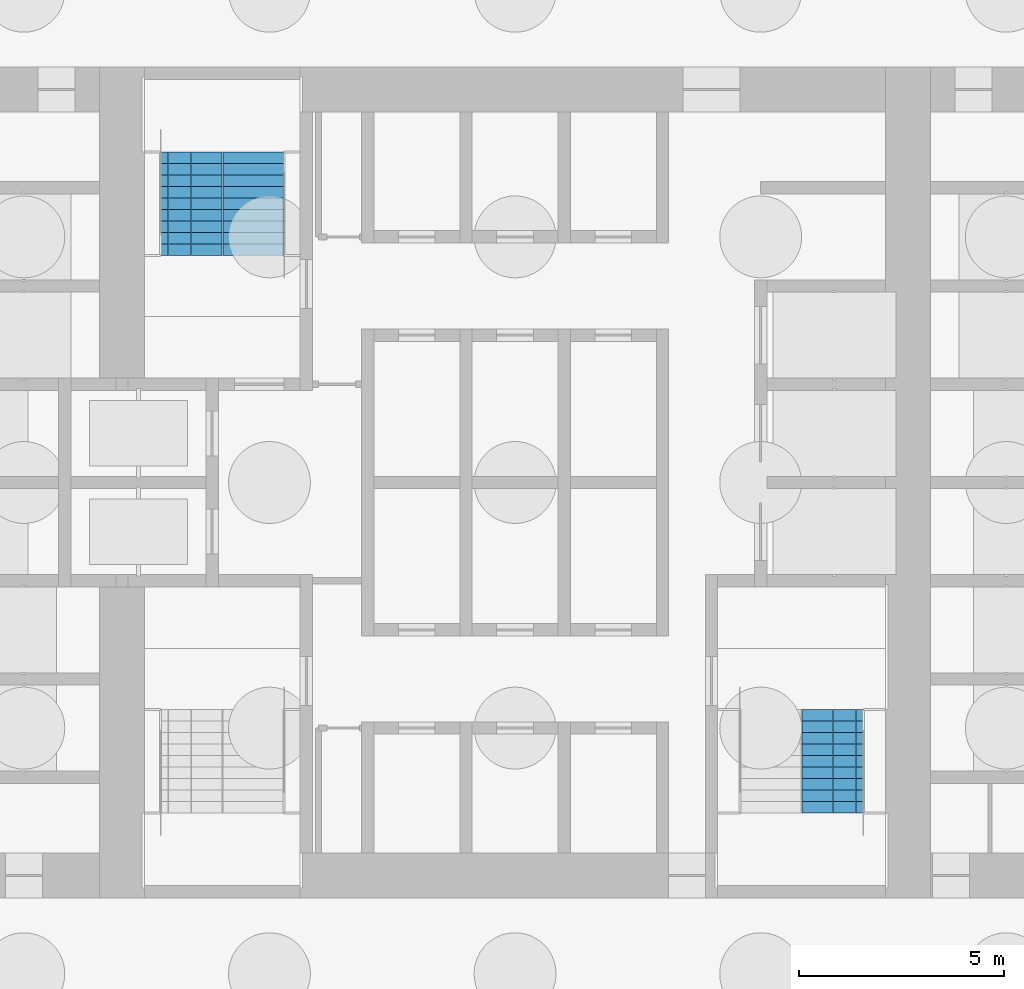
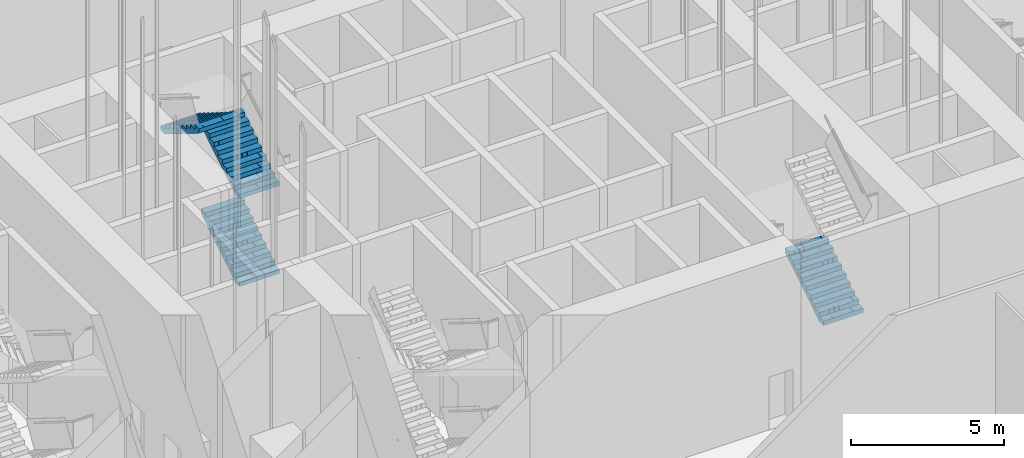
# One storey, part 24 of 68: 4 stair flights, 2 elements without a shape of their own.
"""IFC4 building model written with IfcOpenShell, lengths in metres."""

from ifc_helpers import new_model, si_unit, direction, frame, origin, place, context, subcontext, project, spatial, polyline, outline, extrude, material, type_object, element, aggregate, save


model = new_model("IFC4")

# Units and contexts
model_context = context("Model", 3, precision=1e-05, world=origin(), true_north=direction((0.0, 1.0)))
body_context = subcontext(model_context, "Body", "Model", "MODEL_VIEW")
ifc_project = project(units=[si_unit("LENGTHUNIT", "METRE"), si_unit("AREAUNIT", "SQUARE_METRE"), si_unit("VOLUMEUNIT", "CUBIC_METRE"), si_unit("PLANEANGLEUNIT", "RADIAN"), si_unit("MASSUNIT", "GRAM", prefix="KILO")], contexts=[model_context])

# Site, building, storey
site_placement = place(None, origin())
site = spatial("IfcSite", under=ifc_project, at=site_placement, CompositionType="ELEMENT")
building_placement = place(site_placement, origin())
building = spatial("IfcBuilding", under=site, at=building_placement, Name="Kolab Exchange Tower", CompositionType="ELEMENT")
storey_placement = place(building_placement, origin())
storey = spatial("IfcBuildingStorey", under=building, at=storey_placement, Name="L00", CompositionType="ELEMENT", Elevation=0.0)

# Stair, stair flights
ifc_material = material(Name="Concrete C50/60", Category="concrete")
stair_type_1 = type_object("IfcStairType", Name="STAIR ST1 RISER 175", PredefinedType="DOUBLE_RETURN_STAIR", material=ifc_material)
stair_1_placement = place(storey_placement, origin())
stair_1 = element("IfcStair", 1, at=stair_1_placement, inside=storey, type_object=stair_type_1, Name="Stair 1", PredefinedType="DOUBLE_RETURN_STAIR")
stair_flight_type = type_object("IfcStairFlightType", Name="STAIR FLIGHT 1500 RISER 175", PredefinedType="STRAIGHT", material=ifc_material)
stair_flight_1_placement = place(storey_placement, frame((-6.389892578125, 5.550048828125, 0.0), z_axis=(0.0, 0.0, 1.0), x_axis=(0.0, 1.0, 0.0)))
stair_flight_1 = element("IfcStairFlight", 2, at=stair_flight_1_placement, type_object=stair_flight_type, Name="ST1 flight 1", NumberOfRisers=10, NumberOfTreads=9, PredefinedType="STRAIGHT", RiserHeight=0.175, TreadLength=0.28, context=body_context, shape_type="SweptSolid", body=[
    extrude(outline(polyline([(0.0, 0.0), (0.0, 0.175048828125), (0.280029296875, 0.175048828125), (0.280029296875, 0.35009765625), (0.56005859375, 0.35009765625), (0.56005859375, 0.52490234375), (0.840087890625, 0.52490234375), (0.840087890625, 0.699951171875), (1.1201171875, 0.699951171875), (1.1201171875, 0.875), (1.39990234375, 0.875), (1.39990234375, 1.050048828125), (1.679931640625, 1.050048828125), (1.679931640625, 1.22509765625), (1.9599609375, 1.22509765625), (1.9599609375, 1.39990234375), (2.239990234375, 1.39990234375), (2.239990234375, 1.574951171875), (2.52001953125, 1.574951171875), (2.52001953125, 1.75), (2.52001953125, 1.398193359375), (0.28271484375, 0.0), (0.0, 0.0)])), frame((0.0, 0.75, 0.0), z_axis=(0.0, -1.0, 0.0), x_axis=(1.0, 0.0, 0.0)), (0.0, 0.0, 1.0), 0.185791015625),
    extrude(outline(polyline([(0.0, 0.0), (0.0, 0.175048828125), (0.280029296875, 0.175048828125), (0.280029296875, 0.35009765625), (0.56005859375, 0.35009765625), (0.56005859375, 0.52490234375), (0.840087890625, 0.52490234375), (0.840087890625, 0.699951171875), (1.1201171875, 0.699951171875), (1.1201171875, 0.875), (1.39990234375, 0.875), (1.39990234375, 1.050048828125), (1.679931640625, 1.050048828125), (1.679931640625, 1.22509765625), (1.9599609375, 1.22509765625), (1.9599609375, 1.39990234375), (2.239990234375, 1.39990234375), (2.239990234375, 1.574951171875), (2.52001953125, 1.574951171875), (2.52001953125, 1.75), (2.52001953125, 1.398193359375), (0.28271484375, 0.0), (0.0, 0.0)])), frame((0.0, 0.562255859375, 0.0), z_axis=(0.0, -1.0, 0.0), x_axis=(1.0, 0.0, 0.0)), (0.0, 0.0, 1.0), 0.185791015625),
    extrude(outline(polyline([(0.0, 0.0), (0.0, 0.175048828125), (0.280029296875, 0.175048828125), (0.280029296875, 0.35009765625), (0.56005859375, 0.35009765625), (0.56005859375, 0.52490234375), (0.840087890625, 0.52490234375), (0.840087890625, 0.699951171875), (1.1201171875, 0.699951171875), (1.1201171875, 0.875), (1.39990234375, 0.875), (1.39990234375, 1.050048828125), (1.679931640625, 1.050048828125), (1.679931640625, 1.22509765625), (1.9599609375, 1.22509765625), (1.9599609375, 1.39990234375), (2.239990234375, 1.39990234375), (2.239990234375, 1.574951171875), (2.52001953125, 1.574951171875), (2.52001953125, 1.75), (2.52001953125, 1.398193359375), (0.28271484375, 0.0), (0.0, 0.0)])), frame((0.0, 0.37451171875, 0.0), z_axis=(0.0, -1.0, 0.0), x_axis=(1.0, 0.0, 0.0)), (0.0, 0.0, 1.0), 0.185791015625),
    extrude(outline(polyline([(0.0, 0.0), (0.0, 0.175048828125), (0.280029296875, 0.175048828125), (0.280029296875, 0.35009765625), (0.56005859375, 0.35009765625), (0.56005859375, 0.52490234375), (0.840087890625, 0.52490234375), (0.840087890625, 0.699951171875), (1.1201171875, 0.699951171875), (1.1201171875, 0.875), (1.39990234375, 0.875), (1.39990234375, 1.050048828125), (1.679931640625, 1.050048828125), (1.679931640625, 1.22509765625), (1.9599609375, 1.22509765625), (1.9599609375, 1.39990234375), (2.239990234375, 1.39990234375), (2.239990234375, 1.574951171875), (2.52001953125, 1.574951171875), (2.52001953125, 1.75), (2.52001953125, 1.398193359375), (0.28271484375, 0.0), (0.0, 0.0)])), frame((0.0, 0.186767578125, 0.0), z_axis=(0.0, -1.0, 0.0), x_axis=(1.0, 0.0, 0.0)), (0.0, 0.0, 1.0), 0.185791015625),
    extrude(outline(polyline([(0.0, 0.0), (0.0, 0.175048828125), (0.280029296875, 0.175048828125), (0.280029296875, 0.35009765625), (0.56005859375, 0.35009765625), (0.56005859375, 0.52490234375), (0.840087890625, 0.52490234375), (0.840087890625, 0.699951171875), (1.1201171875, 0.699951171875), (1.1201171875, 0.875), (1.39990234375, 0.875), (1.39990234375, 1.050048828125), (1.679931640625, 1.050048828125), (1.679931640625, 1.22509765625), (1.9599609375, 1.22509765625), (1.9599609375, 1.39990234375), (2.239990234375, 1.39990234375), (2.239990234375, 1.574951171875), (2.52001953125, 1.574951171875), (2.52001953125, 1.75), (2.52001953125, 1.398193359375), (0.28271484375, 0.0), (0.0, 0.0)])), frame((0.0, -0.0009765625, 0.0), z_axis=(0.0, -1.0, 0.0), x_axis=(1.0, 0.0, 0.0)), (0.0, 0.0, 1.0), 0.185791015625),
    extrude(outline(polyline([(0.0, 0.0), (0.0, 0.175048828125), (0.280029296875, 0.175048828125), (0.280029296875, 0.35009765625), (0.56005859375, 0.35009765625), (0.56005859375, 0.52490234375), (0.840087890625, 0.52490234375), (0.840087890625, 0.699951171875), (1.1201171875, 0.699951171875), (1.1201171875, 0.875), (1.39990234375, 0.875), (1.39990234375, 1.050048828125), (1.679931640625, 1.050048828125), (1.679931640625, 1.22509765625), (1.9599609375, 1.22509765625), (1.9599609375, 1.39990234375), (2.239990234375, 1.39990234375), (2.239990234375, 1.574951171875), (2.52001953125, 1.574951171875), (2.52001953125, 1.75), (2.52001953125, 1.398193359375), (0.28271484375, 0.0), (0.0, 0.0)])), frame((0.0, -0.188720703125, 0.0), z_axis=(0.0, -1.0, 0.0), x_axis=(1.0, 0.0, 0.0)), (0.0, 0.0, 1.0), 0.185791015625),
    extrude(outline(polyline([(0.0, 0.0), (0.0, 0.175048828125), (0.280029296875, 0.175048828125), (0.280029296875, 0.35009765625), (0.56005859375, 0.35009765625), (0.56005859375, 0.52490234375), (0.840087890625, 0.52490234375), (0.840087890625, 0.699951171875), (1.1201171875, 0.699951171875), (1.1201171875, 0.875), (1.39990234375, 0.875), (1.39990234375, 1.050048828125), (1.679931640625, 1.050048828125), (1.679931640625, 1.22509765625), (1.9599609375, 1.22509765625), (1.9599609375, 1.39990234375), (2.239990234375, 1.39990234375), (2.239990234375, 1.574951171875), (2.52001953125, 1.574951171875), (2.52001953125, 1.75), (2.52001953125, 1.398193359375), (0.28271484375, 0.0), (0.0, 0.0)])), frame((0.0, -0.37646484375, 0.0), z_axis=(0.0, -1.0, 0.0), x_axis=(1.0, 0.0, 0.0)), (0.0, 0.0, 1.0), 0.185791015625),
    extrude(outline(polyline([(0.0, 0.0), (0.0, 0.175048828125), (0.280029296875, 0.175048828125), (0.280029296875, 0.35009765625), (0.56005859375, 0.35009765625), (0.56005859375, 0.52490234375), (0.840087890625, 0.52490234375), (0.840087890625, 0.699951171875), (1.1201171875, 0.699951171875), (1.1201171875, 0.875), (1.39990234375, 0.875), (1.39990234375, 1.050048828125), (1.679931640625, 1.050048828125), (1.679931640625, 1.22509765625), (1.9599609375, 1.22509765625), (1.9599609375, 1.39990234375), (2.239990234375, 1.39990234375), (2.239990234375, 1.574951171875), (2.52001953125, 1.574951171875), (2.52001953125, 1.75), (2.52001953125, 1.398193359375), (0.28271484375, 0.0), (0.0, 0.0)])), frame((0.0, -0.564208984375, 0.0), z_axis=(0.0, -1.0, 0.0), x_axis=(1.0, 0.0, 0.0)), (0.0, 0.0, 1.0), 0.185791015625),
])
stair_flight_2_placement = place(storey_placement, frame((-6.389892578125, 5.550048828125, 3.5), z_axis=(0.0, 0.0, 1.0), x_axis=(0.0, 1.0, 0.0)))
stair_flight_2 = element("IfcStairFlight", 3, at=stair_flight_2_placement, type_object=stair_flight_type, Name="ST1 flight 3", NumberOfRisers=10, NumberOfTreads=9, PredefinedType="STRAIGHT", RiserHeight=0.175, TreadLength=0.28, context=body_context, shape_type="SweptSolid", body=[
    extrude(outline(polyline([(0.0, 0.0), (0.0, 0.175048828125), (0.280029296875, 0.175048828125), (0.280029296875, 0.35009765625), (0.56005859375, 0.35009765625), (0.56005859375, 0.52490234375), (0.840087890625, 0.52490234375), (0.840087890625, 0.699951171875), (1.1201171875, 0.699951171875), (1.1201171875, 0.875), (1.39990234375, 0.875), (1.39990234375, 1.050048828125), (1.679931640625, 1.050048828125), (1.679931640625, 1.22509765625), (1.9599609375, 1.22509765625), (1.9599609375, 1.39990234375), (2.239990234375, 1.39990234375), (2.239990234375, 1.574951171875), (2.52001953125, 1.574951171875), (2.52001953125, 1.75), (2.52001953125, 1.398193359375), (0.28271484375, 0.0), (0.0, 0.0)])), frame((0.0, 0.75, 0.0), z_axis=(0.0, -1.0, 0.0), x_axis=(1.0, 0.0, 0.0)), (0.0, 0.0, 1.0), 0.185791015625),
    extrude(outline(polyline([(0.0, 0.0), (0.0, 0.175048828125), (0.280029296875, 0.175048828125), (0.280029296875, 0.35009765625), (0.56005859375, 0.35009765625), (0.56005859375, 0.52490234375), (0.840087890625, 0.52490234375), (0.840087890625, 0.699951171875), (1.1201171875, 0.699951171875), (1.1201171875, 0.875), (1.39990234375, 0.875), (1.39990234375, 1.050048828125), (1.679931640625, 1.050048828125), (1.679931640625, 1.22509765625), (1.9599609375, 1.22509765625), (1.9599609375, 1.39990234375), (2.239990234375, 1.39990234375), (2.239990234375, 1.574951171875), (2.52001953125, 1.574951171875), (2.52001953125, 1.75), (2.52001953125, 1.398193359375), (0.28271484375, 0.0), (0.0, 0.0)])), frame((0.0, 0.562255859375, 0.0), z_axis=(0.0, -1.0, 0.0), x_axis=(1.0, 0.0, 0.0)), (0.0, 0.0, 1.0), 0.185791015625),
    extrude(outline(polyline([(0.0, 0.0), (0.0, 0.175048828125), (0.280029296875, 0.175048828125), (0.280029296875, 0.35009765625), (0.56005859375, 0.35009765625), (0.56005859375, 0.52490234375), (0.840087890625, 0.52490234375), (0.840087890625, 0.699951171875), (1.1201171875, 0.699951171875), (1.1201171875, 0.875), (1.39990234375, 0.875), (1.39990234375, 1.050048828125), (1.679931640625, 1.050048828125), (1.679931640625, 1.22509765625), (1.9599609375, 1.22509765625), (1.9599609375, 1.39990234375), (2.239990234375, 1.39990234375), (2.239990234375, 1.574951171875), (2.52001953125, 1.574951171875), (2.52001953125, 1.75), (2.52001953125, 1.398193359375), (0.28271484375, 0.0), (0.0, 0.0)])), frame((0.0, 0.37451171875, 0.0), z_axis=(0.0, -1.0, 0.0), x_axis=(1.0, 0.0, 0.0)), (0.0, 0.0, 1.0), 0.185791015625),
    extrude(outline(polyline([(0.0, 0.0), (0.0, 0.175048828125), (0.280029296875, 0.175048828125), (0.280029296875, 0.35009765625), (0.56005859375, 0.35009765625), (0.56005859375, 0.52490234375), (0.840087890625, 0.52490234375), (0.840087890625, 0.699951171875), (1.1201171875, 0.699951171875), (1.1201171875, 0.875), (1.39990234375, 0.875), (1.39990234375, 1.050048828125), (1.679931640625, 1.050048828125), (1.679931640625, 1.22509765625), (1.9599609375, 1.22509765625), (1.9599609375, 1.39990234375), (2.239990234375, 1.39990234375), (2.239990234375, 1.574951171875), (2.52001953125, 1.574951171875), (2.52001953125, 1.75), (2.52001953125, 1.398193359375), (0.28271484375, 0.0), (0.0, 0.0)])), frame((0.0, 0.186767578125, 0.0), z_axis=(0.0, -1.0, 0.0), x_axis=(1.0, 0.0, 0.0)), (0.0, 0.0, 1.0), 0.185791015625),
    extrude(outline(polyline([(0.0, 0.0), (0.0, 0.175048828125), (0.280029296875, 0.175048828125), (0.280029296875, 0.35009765625), (0.56005859375, 0.35009765625), (0.56005859375, 0.52490234375), (0.840087890625, 0.52490234375), (0.840087890625, 0.699951171875), (1.1201171875, 0.699951171875), (1.1201171875, 0.875), (1.39990234375, 0.875), (1.39990234375, 1.050048828125), (1.679931640625, 1.050048828125), (1.679931640625, 1.22509765625), (1.9599609375, 1.22509765625), (1.9599609375, 1.39990234375), (2.239990234375, 1.39990234375), (2.239990234375, 1.574951171875), (2.52001953125, 1.574951171875), (2.52001953125, 1.75), (2.52001953125, 1.398193359375), (0.28271484375, 0.0), (0.0, 0.0)])), frame((0.0, -0.0009765625, 0.0), z_axis=(0.0, -1.0, 0.0), x_axis=(1.0, 0.0, 0.0)), (0.0, 0.0, 1.0), 0.185791015625),
    extrude(outline(polyline([(0.0, 0.0), (0.0, 0.175048828125), (0.280029296875, 0.175048828125), (0.280029296875, 0.35009765625), (0.56005859375, 0.35009765625), (0.56005859375, 0.52490234375), (0.840087890625, 0.52490234375), (0.840087890625, 0.699951171875), (1.1201171875, 0.699951171875), (1.1201171875, 0.875), (1.39990234375, 0.875), (1.39990234375, 1.050048828125), (1.679931640625, 1.050048828125), (1.679931640625, 1.22509765625), (1.9599609375, 1.22509765625), (1.9599609375, 1.39990234375), (2.239990234375, 1.39990234375), (2.239990234375, 1.574951171875), (2.52001953125, 1.574951171875), (2.52001953125, 1.75), (2.52001953125, 1.398193359375), (0.28271484375, 0.0), (0.0, 0.0)])), frame((0.0, -0.188720703125, 0.0), z_axis=(0.0, -1.0, 0.0), x_axis=(1.0, 0.0, 0.0)), (0.0, 0.0, 1.0), 0.185791015625),
    extrude(outline(polyline([(0.0, 0.0), (0.0, 0.175048828125), (0.280029296875, 0.175048828125), (0.280029296875, 0.35009765625), (0.56005859375, 0.35009765625), (0.56005859375, 0.52490234375), (0.840087890625, 0.52490234375), (0.840087890625, 0.699951171875), (1.1201171875, 0.699951171875), (1.1201171875, 0.875), (1.39990234375, 0.875), (1.39990234375, 1.050048828125), (1.679931640625, 1.050048828125), (1.679931640625, 1.22509765625), (1.9599609375, 1.22509765625), (1.9599609375, 1.39990234375), (2.239990234375, 1.39990234375), (2.239990234375, 1.574951171875), (2.52001953125, 1.574951171875), (2.52001953125, 1.75), (2.52001953125, 1.398193359375), (0.28271484375, 0.0), (0.0, 0.0)])), frame((0.0, -0.37646484375, 0.0), z_axis=(0.0, -1.0, 0.0), x_axis=(1.0, 0.0, 0.0)), (0.0, 0.0, 1.0), 0.185791015625),
    extrude(outline(polyline([(0.0, 0.0), (0.0, 0.175048828125), (0.280029296875, 0.175048828125), (0.280029296875, 0.35009765625), (0.56005859375, 0.35009765625), (0.56005859375, 0.52490234375), (0.840087890625, 0.52490234375), (0.840087890625, 0.699951171875), (1.1201171875, 0.699951171875), (1.1201171875, 0.875), (1.39990234375, 0.875), (1.39990234375, 1.050048828125), (1.679931640625, 1.050048828125), (1.679931640625, 1.22509765625), (1.9599609375, 1.22509765625), (1.9599609375, 1.39990234375), (2.239990234375, 1.39990234375), (2.239990234375, 1.574951171875), (2.52001953125, 1.574951171875), (2.52001953125, 1.75), (2.52001953125, 1.398193359375), (0.28271484375, 0.0), (0.0, 0.0)])), frame((0.0, -0.564208984375, 0.0), z_axis=(0.0, -1.0, 0.0), x_axis=(1.0, 0.0, 0.0)), (0.0, 0.0, 1.0), 0.185791015625),
])
stair_flight_3_placement = place(storey_placement, frame((-7.909912109375, 8.070068359375, 5.25), z_axis=(0.0, 0.0, 1.0), x_axis=(0.0, -1.0, 0.0)))
stair_flight_3 = element("IfcStairFlight", 4, at=stair_flight_3_placement, type_object=stair_flight_type, Name="ST1 flight 4", NumberOfRisers=10, NumberOfTreads=9, PredefinedType="STRAIGHT", RiserHeight=0.175, TreadLength=0.28, context=body_context, shape_type="SweptSolid", body=[
    extrude(outline(polyline([(0.0, 0.0), (0.0, 0.175048828125), (0.280029296875, 0.175048828125), (0.280029296875, 0.35009765625), (0.56005859375, 0.35009765625), (0.56005859375, 0.52490234375), (0.840087890625, 0.52490234375), (0.840087890625, 0.699951171875), (1.1201171875, 0.699951171875), (1.1201171875, 0.875), (1.39990234375, 0.875), (1.39990234375, 1.050048828125), (1.679931640625, 1.050048828125), (1.679931640625, 1.22509765625), (1.9599609375, 1.22509765625), (1.9599609375, 1.39990234375), (2.239990234375, 1.39990234375), (2.239990234375, 1.574951171875), (2.52001953125, 1.574951171875), (2.52001953125, 1.75), (2.52001953125, 1.398193359375), (0.28271484375, 0.0), (0.0, 0.0)])), frame((0.0, 0.75, 0.0), z_axis=(0.0, -1.0, 0.0), x_axis=(1.0, 0.0, 0.0)), (0.0, 0.0, 1.0), 0.185791015625),
    extrude(outline(polyline([(0.0, 0.0), (0.0, 0.175048828125), (0.280029296875, 0.175048828125), (0.280029296875, 0.35009765625), (0.56005859375, 0.35009765625), (0.56005859375, 0.52490234375), (0.840087890625, 0.52490234375), (0.840087890625, 0.699951171875), (1.1201171875, 0.699951171875), (1.1201171875, 0.875), (1.39990234375, 0.875), (1.39990234375, 1.050048828125), (1.679931640625, 1.050048828125), (1.679931640625, 1.22509765625), (1.9599609375, 1.22509765625), (1.9599609375, 1.39990234375), (2.239990234375, 1.39990234375), (2.239990234375, 1.574951171875), (2.52001953125, 1.574951171875), (2.52001953125, 1.75), (2.52001953125, 1.398193359375), (0.28271484375, 0.0), (0.0, 0.0)])), frame((0.0, 0.562255859375, 0.0), z_axis=(0.0, -1.0, 0.0), x_axis=(1.0, 0.0, 0.0)), (0.0, 0.0, 1.0), 0.185791015625),
    extrude(outline(polyline([(0.0, 0.0), (0.0, 0.175048828125), (0.280029296875, 0.175048828125), (0.280029296875, 0.35009765625), (0.56005859375, 0.35009765625), (0.56005859375, 0.52490234375), (0.840087890625, 0.52490234375), (0.840087890625, 0.699951171875), (1.1201171875, 0.699951171875), (1.1201171875, 0.875), (1.39990234375, 0.875), (1.39990234375, 1.050048828125), (1.679931640625, 1.050048828125), (1.679931640625, 1.22509765625), (1.9599609375, 1.22509765625), (1.9599609375, 1.39990234375), (2.239990234375, 1.39990234375), (2.239990234375, 1.574951171875), (2.52001953125, 1.574951171875), (2.52001953125, 1.75), (2.52001953125, 1.398193359375), (0.28271484375, 0.0), (0.0, 0.0)])), frame((0.0, 0.37451171875, 0.0), z_axis=(0.0, -1.0, 0.0), x_axis=(1.0, 0.0, 0.0)), (0.0, 0.0, 1.0), 0.185791015625),
    extrude(outline(polyline([(0.0, 0.0), (0.0, 0.175048828125), (0.280029296875, 0.175048828125), (0.280029296875, 0.35009765625), (0.56005859375, 0.35009765625), (0.56005859375, 0.52490234375), (0.840087890625, 0.52490234375), (0.840087890625, 0.699951171875), (1.1201171875, 0.699951171875), (1.1201171875, 0.875), (1.39990234375, 0.875), (1.39990234375, 1.050048828125), (1.679931640625, 1.050048828125), (1.679931640625, 1.22509765625), (1.9599609375, 1.22509765625), (1.9599609375, 1.39990234375), (2.239990234375, 1.39990234375), (2.239990234375, 1.574951171875), (2.52001953125, 1.574951171875), (2.52001953125, 1.75), (2.52001953125, 1.398193359375), (0.28271484375, 0.0), (0.0, 0.0)])), frame((0.0, 0.186767578125, 0.0), z_axis=(0.0, -1.0, 0.0), x_axis=(1.0, 0.0, 0.0)), (0.0, 0.0, 1.0), 0.185791015625),
    extrude(outline(polyline([(0.0, 0.0), (0.0, 0.175048828125), (0.280029296875, 0.175048828125), (0.280029296875, 0.35009765625), (0.56005859375, 0.35009765625), (0.56005859375, 0.52490234375), (0.840087890625, 0.52490234375), (0.840087890625, 0.699951171875), (1.1201171875, 0.699951171875), (1.1201171875, 0.875), (1.39990234375, 0.875), (1.39990234375, 1.050048828125), (1.679931640625, 1.050048828125), (1.679931640625, 1.22509765625), (1.9599609375, 1.22509765625), (1.9599609375, 1.39990234375), (2.239990234375, 1.39990234375), (2.239990234375, 1.574951171875), (2.52001953125, 1.574951171875), (2.52001953125, 1.75), (2.52001953125, 1.398193359375), (0.28271484375, 0.0), (0.0, 0.0)])), frame((0.0, -0.0009765625, 0.0), z_axis=(0.0, -1.0, 0.0), x_axis=(1.0, 0.0, 0.0)), (0.0, 0.0, 1.0), 0.185791015625),
    extrude(outline(polyline([(0.0, 0.0), (0.0, 0.175048828125), (0.280029296875, 0.175048828125), (0.280029296875, 0.35009765625), (0.56005859375, 0.35009765625), (0.56005859375, 0.52490234375), (0.840087890625, 0.52490234375), (0.840087890625, 0.699951171875), (1.1201171875, 0.699951171875), (1.1201171875, 0.875), (1.39990234375, 0.875), (1.39990234375, 1.050048828125), (1.679931640625, 1.050048828125), (1.679931640625, 1.22509765625), (1.9599609375, 1.22509765625), (1.9599609375, 1.39990234375), (2.239990234375, 1.39990234375), (2.239990234375, 1.574951171875), (2.52001953125, 1.574951171875), (2.52001953125, 1.75), (2.52001953125, 1.398193359375), (0.28271484375, 0.0), (0.0, 0.0)])), frame((0.0, -0.188720703125, 0.0), z_axis=(0.0, -1.0, 0.0), x_axis=(1.0, 0.0, 0.0)), (0.0, 0.0, 1.0), 0.185791015625),
    extrude(outline(polyline([(0.0, 0.0), (0.0, 0.175048828125), (0.280029296875, 0.175048828125), (0.280029296875, 0.35009765625), (0.56005859375, 0.35009765625), (0.56005859375, 0.52490234375), (0.840087890625, 0.52490234375), (0.840087890625, 0.699951171875), (1.1201171875, 0.699951171875), (1.1201171875, 0.875), (1.39990234375, 0.875), (1.39990234375, 1.050048828125), (1.679931640625, 1.050048828125), (1.679931640625, 1.22509765625), (1.9599609375, 1.22509765625), (1.9599609375, 1.39990234375), (2.239990234375, 1.39990234375), (2.239990234375, 1.574951171875), (2.52001953125, 1.574951171875), (2.52001953125, 1.75), (2.52001953125, 1.398193359375), (0.28271484375, 0.0), (0.0, 0.0)])), frame((0.0, -0.37646484375, 0.0), z_axis=(0.0, -1.0, 0.0), x_axis=(1.0, 0.0, 0.0)), (0.0, 0.0, 1.0), 0.185791015625),
    extrude(outline(polyline([(0.0, 0.0), (0.0, 0.175048828125), (0.280029296875, 0.175048828125), (0.280029296875, 0.35009765625), (0.56005859375, 0.35009765625), (0.56005859375, 0.52490234375), (0.840087890625, 0.52490234375), (0.840087890625, 0.699951171875), (1.1201171875, 0.699951171875), (1.1201171875, 0.875), (1.39990234375, 0.875), (1.39990234375, 1.050048828125), (1.679931640625, 1.050048828125), (1.679931640625, 1.22509765625), (1.9599609375, 1.22509765625), (1.9599609375, 1.39990234375), (2.239990234375, 1.39990234375), (2.239990234375, 1.574951171875), (2.52001953125, 1.574951171875), (2.52001953125, 1.75), (2.52001953125, 1.398193359375), (0.28271484375, 0.0), (0.0, 0.0)])), frame((0.0, -0.564208984375, 0.0), z_axis=(0.0, -1.0, 0.0), x_axis=(1.0, 0.0, 0.0)), (0.0, 0.0, 1.0), 0.185791015625),
])
aggregate(stair_1, [stair_flight_1, stair_flight_2, stair_flight_3])

# Stair, stair flight
stair_type_2 = type_object("IfcStairType", Name="STAIR ST2 RISER 175", PredefinedType="DOUBLE_RETURN_STAIR", material=ifc_material)
stair_2_placement = place(storey_placement, origin())
stair_2 = element("IfcStair", 5, at=stair_2_placement, inside=storey, type_object=stair_type_2, Name="Stair 2", PredefinedType="DOUBLE_RETURN_STAIR")
stair_flight_4_placement = place(storey_placement, frame((7.760009765625, -8.070068359375, 1.75), z_axis=(0.0, 0.0, 1.0), x_axis=(0.0, 1.0, 0.0)))
stair_flight_4 = element("IfcStairFlight", 6, at=stair_flight_4_placement, type_object=stair_flight_type, Name="ST2 flight 2", NumberOfRisers=10, NumberOfTreads=9, PredefinedType="STRAIGHT", RiserHeight=0.175, TreadLength=0.28, context=body_context, shape_type="SweptSolid", body=[
    extrude(outline(polyline([(0.0, 0.0), (0.0, 0.175048828125), (0.280029296875, 0.175048828125), (0.280029296875, 0.35009765625), (0.56005859375, 0.35009765625), (0.56005859375, 0.52490234375), (0.840087890625, 0.52490234375), (0.840087890625, 0.699951171875), (1.1201171875, 0.699951171875), (1.1201171875, 0.875), (1.39990234375, 0.875), (1.39990234375, 1.050048828125), (1.679931640625, 1.050048828125), (1.679931640625, 1.22509765625), (1.9599609375, 1.22509765625), (1.9599609375, 1.39990234375), (2.239990234375, 1.39990234375), (2.239990234375, 1.574951171875), (2.52001953125, 1.574951171875), (2.52001953125, 1.75), (2.52001953125, 1.398193359375), (0.28271484375, 0.0), (0.0, 0.0)])), frame((0.0, 0.75, 0.0), z_axis=(0.0, -1.0, 0.0), x_axis=(1.0, 0.0, 0.0)), (0.0, 0.0, 1.0), 0.185791015625),
    extrude(outline(polyline([(0.0, 0.0), (0.0, 0.175048828125), (0.280029296875, 0.175048828125), (0.280029296875, 0.35009765625), (0.56005859375, 0.35009765625), (0.56005859375, 0.52490234375), (0.840087890625, 0.52490234375), (0.840087890625, 0.699951171875), (1.1201171875, 0.699951171875), (1.1201171875, 0.875), (1.39990234375, 0.875), (1.39990234375, 1.050048828125), (1.679931640625, 1.050048828125), (1.679931640625, 1.22509765625), (1.9599609375, 1.22509765625), (1.9599609375, 1.39990234375), (2.239990234375, 1.39990234375), (2.239990234375, 1.574951171875), (2.52001953125, 1.574951171875), (2.52001953125, 1.75), (2.52001953125, 1.398193359375), (0.28271484375, 0.0), (0.0, 0.0)])), frame((0.0, 0.562255859375, 0.0), z_axis=(0.0, -1.0, 0.0), x_axis=(1.0, 0.0, 0.0)), (0.0, 0.0, 1.0), 0.185791015625),
    extrude(outline(polyline([(0.0, 0.0), (0.0, 0.175048828125), (0.280029296875, 0.175048828125), (0.280029296875, 0.35009765625), (0.56005859375, 0.35009765625), (0.56005859375, 0.52490234375), (0.840087890625, 0.52490234375), (0.840087890625, 0.699951171875), (1.1201171875, 0.699951171875), (1.1201171875, 0.875), (1.39990234375, 0.875), (1.39990234375, 1.050048828125), (1.679931640625, 1.050048828125), (1.679931640625, 1.22509765625), (1.9599609375, 1.22509765625), (1.9599609375, 1.39990234375), (2.239990234375, 1.39990234375), (2.239990234375, 1.574951171875), (2.52001953125, 1.574951171875), (2.52001953125, 1.75), (2.52001953125, 1.398193359375), (0.28271484375, 0.0), (0.0, 0.0)])), frame((0.0, 0.37451171875, 0.0), z_axis=(0.0, -1.0, 0.0), x_axis=(1.0, 0.0, 0.0)), (0.0, 0.0, 1.0), 0.185791015625),
    extrude(outline(polyline([(0.0, 0.0), (0.0, 0.175048828125), (0.280029296875, 0.175048828125), (0.280029296875, 0.35009765625), (0.56005859375, 0.35009765625), (0.56005859375, 0.52490234375), (0.840087890625, 0.52490234375), (0.840087890625, 0.699951171875), (1.1201171875, 0.699951171875), (1.1201171875, 0.875), (1.39990234375, 0.875), (1.39990234375, 1.050048828125), (1.679931640625, 1.050048828125), (1.679931640625, 1.22509765625), (1.9599609375, 1.22509765625), (1.9599609375, 1.39990234375), (2.239990234375, 1.39990234375), (2.239990234375, 1.574951171875), (2.52001953125, 1.574951171875), (2.52001953125, 1.75), (2.52001953125, 1.398193359375), (0.28271484375, 0.0), (0.0, 0.0)])), frame((0.0, 0.186767578125, 0.0), z_axis=(0.0, -1.0, 0.0), x_axis=(1.0, 0.0, 0.0)), (0.0, 0.0, 1.0), 0.185791015625),
    extrude(outline(polyline([(0.0, 0.0), (0.0, 0.175048828125), (0.280029296875, 0.175048828125), (0.280029296875, 0.35009765625), (0.56005859375, 0.35009765625), (0.56005859375, 0.52490234375), (0.840087890625, 0.52490234375), (0.840087890625, 0.699951171875), (1.1201171875, 0.699951171875), (1.1201171875, 0.875), (1.39990234375, 0.875), (1.39990234375, 1.050048828125), (1.679931640625, 1.050048828125), (1.679931640625, 1.22509765625), (1.9599609375, 1.22509765625), (1.9599609375, 1.39990234375), (2.239990234375, 1.39990234375), (2.239990234375, 1.574951171875), (2.52001953125, 1.574951171875), (2.52001953125, 1.75), (2.52001953125, 1.398193359375), (0.28271484375, 0.0), (0.0, 0.0)])), frame((0.0, -0.0009765625, 0.0), z_axis=(0.0, -1.0, 0.0), x_axis=(1.0, 0.0, 0.0)), (0.0, 0.0, 1.0), 0.185791015625),
    extrude(outline(polyline([(0.0, 0.0), (0.0, 0.175048828125), (0.280029296875, 0.175048828125), (0.280029296875, 0.35009765625), (0.56005859375, 0.35009765625), (0.56005859375, 0.52490234375), (0.840087890625, 0.52490234375), (0.840087890625, 0.699951171875), (1.1201171875, 0.699951171875), (1.1201171875, 0.875), (1.39990234375, 0.875), (1.39990234375, 1.050048828125), (1.679931640625, 1.050048828125), (1.679931640625, 1.22509765625), (1.9599609375, 1.22509765625), (1.9599609375, 1.39990234375), (2.239990234375, 1.39990234375), (2.239990234375, 1.574951171875), (2.52001953125, 1.574951171875), (2.52001953125, 1.75), (2.52001953125, 1.398193359375), (0.28271484375, 0.0), (0.0, 0.0)])), frame((0.0, -0.188720703125, 0.0), z_axis=(0.0, -1.0, 0.0), x_axis=(1.0, 0.0, 0.0)), (0.0, 0.0, 1.0), 0.185791015625),
    extrude(outline(polyline([(0.0, 0.0), (0.0, 0.175048828125), (0.280029296875, 0.175048828125), (0.280029296875, 0.35009765625), (0.56005859375, 0.35009765625), (0.56005859375, 0.52490234375), (0.840087890625, 0.52490234375), (0.840087890625, 0.699951171875), (1.1201171875, 0.699951171875), (1.1201171875, 0.875), (1.39990234375, 0.875), (1.39990234375, 1.050048828125), (1.679931640625, 1.050048828125), (1.679931640625, 1.22509765625), (1.9599609375, 1.22509765625), (1.9599609375, 1.39990234375), (2.239990234375, 1.39990234375), (2.239990234375, 1.574951171875), (2.52001953125, 1.574951171875), (2.52001953125, 1.75), (2.52001953125, 1.398193359375), (0.28271484375, 0.0), (0.0, 0.0)])), frame((0.0, -0.37646484375, 0.0), z_axis=(0.0, -1.0, 0.0), x_axis=(1.0, 0.0, 0.0)), (0.0, 0.0, 1.0), 0.185791015625),
    extrude(outline(polyline([(0.0, 0.0), (0.0, 0.175048828125), (0.280029296875, 0.175048828125), (0.280029296875, 0.35009765625), (0.56005859375, 0.35009765625), (0.56005859375, 0.52490234375), (0.840087890625, 0.52490234375), (0.840087890625, 0.699951171875), (1.1201171875, 0.699951171875), (1.1201171875, 0.875), (1.39990234375, 0.875), (1.39990234375, 1.050048828125), (1.679931640625, 1.050048828125), (1.679931640625, 1.22509765625), (1.9599609375, 1.22509765625), (1.9599609375, 1.39990234375), (2.239990234375, 1.39990234375), (2.239990234375, 1.574951171875), (2.52001953125, 1.574951171875), (2.52001953125, 1.75), (2.52001953125, 1.398193359375), (0.28271484375, 0.0), (0.0, 0.0)])), frame((0.0, -0.564208984375, 0.0), z_axis=(0.0, -1.0, 0.0), x_axis=(1.0, 0.0, 0.0)), (0.0, 0.0, 1.0), 0.185791015625),
])
aggregate(stair_2, [stair_flight_4])

save(model, "model.ifc")
